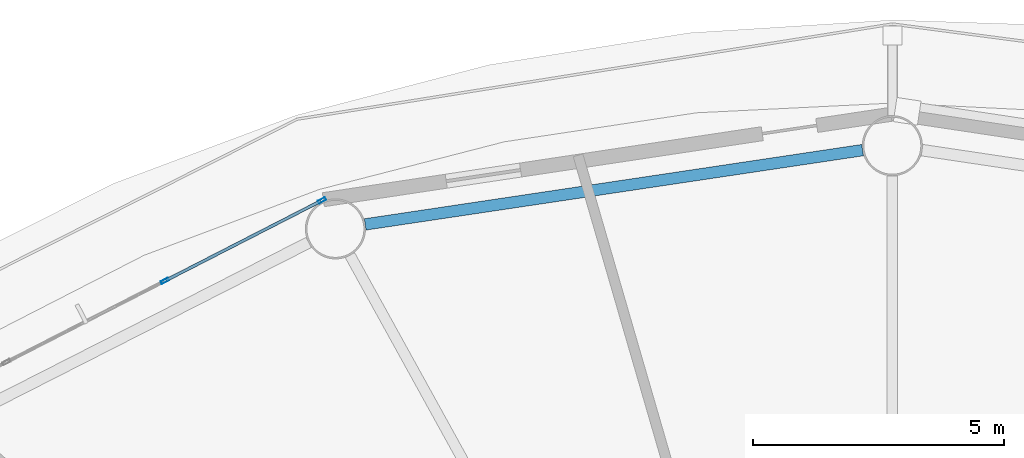
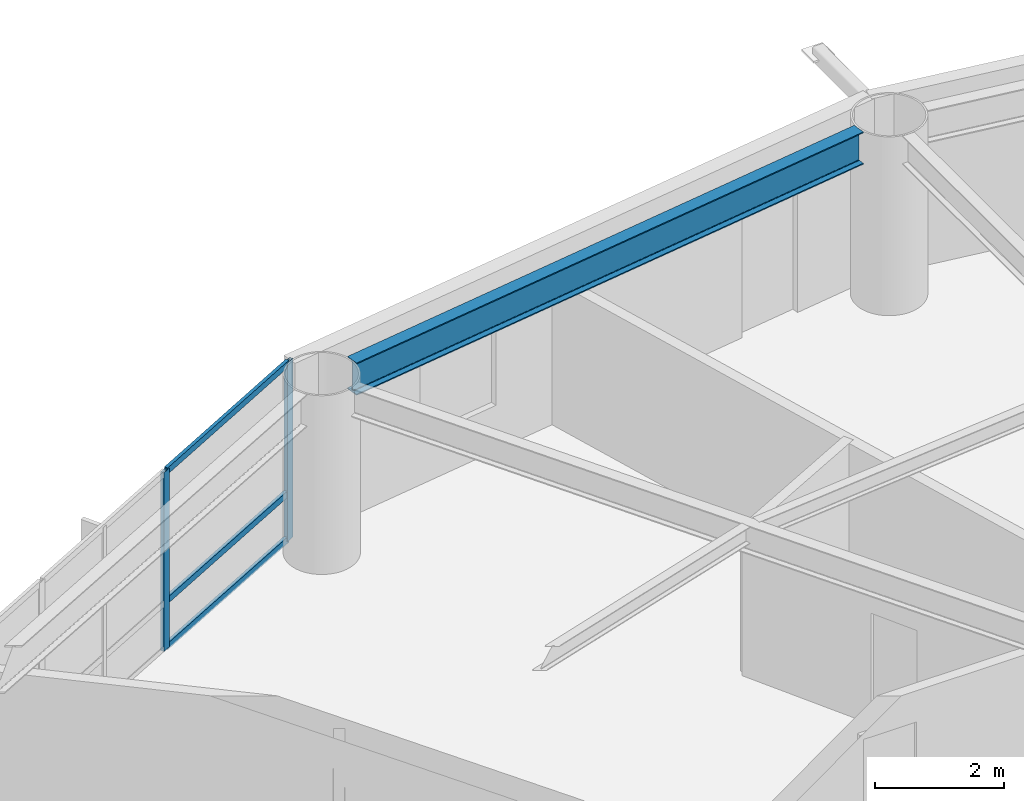
# One storey, part 10 of 24: 5 members, 1 beam, 1 element without a shape of its own.
"""IFC4 building model written with IfcOpenShell, lengths in metres."""

import ifcopenshell
import ifcopenshell.guid

model = None  # the IFC model being written
_history = None  # IfcOwnerHistory: only IFC2X3 demands one
_inside = {}  # id of a spatial element -> (the spatial element, [elements in it])
_under = {}  # id of a project, library or spatial element -> (it, [spatial elements below it])
_declared = {}  # id of a project -> (the project, [libraries it declares])
_typed = {}  # id of a type object -> (the type object, [elements of that type])
_made_of = {}  # id of a material, layer set ... -> (it, [elements and type objects made of it])


def new_model(schema):
    """Start an empty IFC model of exactly this schema.

    Asked for "IFC4X3", IfcOpenShell would pick the latest addendum, in which some entities
    have other attributes; the version numbers below select the first issue.
    IFC2X3 requires an IfcOwnerHistory on every rooted entity: one is made here for all.
    """
    global model, _history
    if schema == "IFC4X3":
        model = ifcopenshell.file(schema_version=(4, 3, 0, 0))
    else:
        model = ifcopenshell.file(schema=schema)
    _inside.clear()
    _under.clear()
    _declared.clear()
    _typed.clear()
    _made_of.clear()
    _history = None
    if model.schema == "IFC2X3":
        org = make("IfcOrganization", Name="unknown")
        user = make(
            "IfcPersonAndOrganization",
            ThePerson=make("IfcPerson", FamilyName="unknown"),
            TheOrganization=org,
        )
        app = make(
            "IfcApplication",
            ApplicationDeveloper=org,
            Version="unknown",
            ApplicationFullName="unknown",
            ApplicationIdentifier="unknown",
        )
        _history = make(
            "IfcOwnerHistory",
            OwningUser=user,
            OwningApplication=app,
            ChangeAction="ADDED",
            CreationDate=0,
        )
    return model


def make(cls, **values):
    """One entity of the class cls with the attributes given. An attribute that is None is left unset."""
    return model.create_entity(
        cls, **{name: value for name, value in values.items() if value is not None}
    )


def rooted(cls, **values):
    """An entity with a GlobalId (a new one), such as an element, a storey or a relation."""
    return make(cls, GlobalId=ifcopenshell.guid.new(), OwnerHistory=_history, **values)


def si_unit(unit_type, name, prefix=None):
    """IfcSIUnit, for example si_unit("LENGTHUNIT", "METRE", prefix="MILLI")."""
    return make("IfcSIUnit", UnitType=unit_type, Prefix=prefix, Name=name)


def assignment(units):
    """IfcUnitAssignment: the units of a project."""
    return None if units is None else make("IfcUnitAssignment", Units=units)


def point(xyz):
    """IfcCartesianPoint."""
    return None if xyz is None else make("IfcCartesianPoint", Coordinates=xyz)


def direction(xyz):
    """IfcDirection."""
    return None if xyz is None else make("IfcDirection", DirectionRatios=xyz)


def frame(location, z_axis=None, x_axis=None):
    """IfcAxis2Placement3D, a coordinate frame: its origin and axes. An axis left out is left unset."""
    return make(
        "IfcAxis2Placement3D",
        Location=point(location),
        Axis=direction(z_axis),
        RefDirection=direction(x_axis),
    )


def frame_2d(location, x_axis=None):
    """IfcAxis2Placement2D, a coordinate frame in the plane: its origin and x axis."""
    return make(
        "IfcAxis2Placement2D", Location=point(location), RefDirection=direction(x_axis)
    )


def origin():
    """The frame at (0, 0, 0) with its axes left unset."""
    return frame((0.0, 0.0, 0.0))


def origin_2d():
    """The frame at (0, 0) in the plane with its x axis left unset."""
    return frame_2d((0.0, 0.0))


def place(relative_to, where):
    """IfcLocalPlacement: puts the frame where relative to a parent placement (None: the world)."""
    return make(
        "IfcLocalPlacement", PlacementRelTo=relative_to, RelativePlacement=where
    )


def context(
    kind, dimensions, precision=None, world=None, true_north=None, identifier=None
):
    """IfcGeometricRepresentationContext, for example the 3D "Model" context."""
    return make(
        "IfcGeometricRepresentationContext",
        ContextIdentifier=identifier,
        ContextType=kind,
        CoordinateSpaceDimension=dimensions,
        Precision=precision,
        WorldCoordinateSystem=world,
        TrueNorth=true_north,
    )


def subcontext(parent, identifier, kind, view, scale=None):
    """IfcGeometricRepresentationSubContext, for example "Body" below "Model"."""
    return make(
        "IfcGeometricRepresentationSubContext",
        ContextIdentifier=identifier,
        ContextType=kind,
        ParentContext=parent,
        TargetScale=scale,
        TargetView=view,
    )


def project(units=None, contexts=None):
    """IfcProject with its units and contexts."""
    return rooted(
        "IfcProject",
        Name="project",
        RepresentationContexts=contexts,
        UnitsInContext=assignment(units),
    )


def spatial(cls, under=None, at=None, **own):
    """A site, building, storey or space (cls), placed at a placement, below another one or the project."""
    s = rooted(cls, ObjectPlacement=at, **own)
    if under is not None:
        _under.setdefault(under.id(), (under, []))[1].append(s)
    return s


def profile(cls, at=None, kind="AREA", **sizes):
    """A parametric profile (cls). Its sizes go by their IFC names, for example OverallWidth=200.0."""
    return make(cls, ProfileType=kind, Position=at, **sizes)


def hollow_rectangle(**sizes):
    """IfcRectangleHollowProfileDef."""
    return profile("IfcRectangleHollowProfileDef", **sizes)


def i_section(**sizes):
    """IfcIShapeProfileDef."""
    return profile("IfcIShapeProfileDef", **sizes)


def extrude(swept, where, along, depth):
    """IfcExtrudedAreaSolid: the profile swept, set in the frame where, extruded along a direction by depth."""
    return make(
        "IfcExtrudedAreaSolid",
        SweptArea=swept,
        Position=where,
        ExtrudedDirection=direction(along),
        Depth=depth,
    )


def shape(context_of_items, identifier, shape_type, items):
    """IfcShapeRepresentation: the items that make up one representation, for example the "Body"."""
    return make(
        "IfcShapeRepresentation",
        ContextOfItems=context_of_items,
        RepresentationIdentifier=identifier,
        RepresentationType=shape_type,
        Items=items,
    )


def material(Name=None, Category=None):
    """IfcMaterial."""
    return make("IfcMaterial", Name=Name, Category=Category)


def layer(
    of_material, thickness, ventilated=None, Name=None, Category=None, Priority=None
):
    """IfcMaterialLayer: one layer of a wall or slab, of a material (None: an air gap)."""
    return make(
        "IfcMaterialLayer",
        Material=of_material,
        LayerThickness=thickness,
        IsVentilated=ventilated,
        Name=Name,
        Category=Category,
        Priority=Priority,
    )


def layer_set(layers, Name=None):
    """IfcMaterialLayerSet."""
    return make("IfcMaterialLayerSet", MaterialLayers=layers, LayerSetName=Name)


def material_profile(
    of_material, cross_section, Name=None, Category=None, Priority=None
):
    """IfcMaterialProfile: a cross section and its material."""
    return make(
        "IfcMaterialProfile",
        Name=Name,
        Material=of_material,
        Profile=cross_section,
        Priority=Priority,
        Category=Category,
    )


def profile_set(profiles, Name=None, composite=None):
    """IfcMaterialProfileSet."""
    return make(
        "IfcMaterialProfileSet",
        Name=Name,
        MaterialProfiles=profiles,
        CompositeProfile=composite,
    )


def made_of(thing, what):
    """Note that an element or type object is made of a material, layer set ...; save() writes the relation."""
    if what is not None:
        _made_of.setdefault(what.id(), (what, []))[1].append(thing)
    return thing


def type_object(cls, material=None, **own):
    """A type object (cls), such as IfcWallType, which elements share."""
    return made_of(rooted(cls, **own), material)


def element(
    cls,
    number,
    at=None,
    inside=None,
    cuts=None,
    type_object=None,
    material=None,
    context=None,
    identifier="Body",
    shape_type=None,
    held_by="IfcProductDefinitionShape",
    body=None,
    shapes=None,
    **own,
):
    """One element of the class cls, such as IfcWall. Its Tag is "e" and its number.

    at: its placement. inside: the storey or other place that contains it. cuts: it is an
    opening in that element (IfcRelVoidsElement). A single representation is given by context,
    identifier, shape_type and body (its items); several are given by shapes. held_by: the class
    of the entity that holds the representations. save() writes the other relations.
    """
    e = rooted(cls, Tag="e%d" % number, ObjectPlacement=at, **own)
    if body is not None:
        shapes = [shape(context, identifier, shape_type, body)]
    if shapes is not None:
        e.Representation = make(held_by, Representations=shapes)
    if inside is not None:
        _inside.setdefault(inside.id(), (inside, []))[1].append(e)
    if cuts is not None:
        rooted(
            "IfcRelVoidsElement", RelatingBuildingElement=cuts, RelatedOpeningElement=e
        )
    if type_object is not None:
        _typed.setdefault(type_object.id(), (type_object, []))[1].append(e)
    return made_of(e, material)


def aggregate(whole, parts):
    """IfcRelAggregates: a whole, such as a stair, and the parts it consists of."""
    return rooted("IfcRelAggregates", RelatingObject=whole, RelatedObjects=parts)


def save(model, path):
    """Write the relations noted so far, then the file.

    IfcRelAggregates (storeys below a building ...), IfcRelContainedInSpatialStructure (elements
    in a storey), IfcRelDefinesByType, IfcRelAssociatesMaterial and IfcRelDeclares: one each for
    every whole, place, type object, material and project.
    """
    for whole, parts in _under.values():
        aggregate(whole, parts)
    for where, things in _inside.values():
        rooted(
            "IfcRelContainedInSpatialStructure",
            RelatedElements=things,
            RelatingStructure=where,
        )
    for kind, things in _typed.values():
        rooted("IfcRelDefinesByType", RelatedObjects=things, RelatingType=kind)
    for what, things in _made_of.values():
        rooted("IfcRelAssociatesMaterial", RelatedObjects=things, RelatingMaterial=what)
    for by, libraries in _declared.values():
        rooted("IfcRelDeclares", RelatingContext=by, RelatedDefinitions=libraries)
    model.write(path)


model = new_model("IFC4")

# Units and contexts
model_context = context("Model", 3, precision=1e-05, world=origin(), true_north=direction((0.0, 1.0)))
body_context = subcontext(model_context, "Body", "Model", "MODEL_VIEW")
ifc_project = project(units=[si_unit("LENGTHUNIT", "METRE"), si_unit("AREAUNIT", "SQUARE_METRE"), si_unit("VOLUMEUNIT", "CUBIC_METRE"), si_unit("PLANEANGLEUNIT", "RADIAN"), si_unit("MASSUNIT", "GRAM", prefix="KILO")], contexts=[model_context])

# Site, building, storey
site_placement = place(None, origin())
site = spatial("IfcSite", under=ifc_project, at=site_placement, CompositionType="ELEMENT")
building_placement = place(site_placement, origin())
building = spatial("IfcBuilding", under=site, at=building_placement, Name="Sarneth Arch Tower", CompositionType="ELEMENT")
storey_placement = place(building_placement, frame((0.0, 0.0, 116.39990234375)))
storey = spatial("IfcBuildingStorey", under=building, at=storey_placement, Name="L29", CompositionType="ELEMENT", Elevation=116.39990234375)

# Beam
ifc_material_1 = material(Name="Steel S355", Category="steel")
ifc_material_profile_1 = material_profile(ifc_material_1, i_section(OverallWidth=0.22900390625, OverallDepth=0.612060546875, WebThickness=0.011962890625, FlangeThickness=0.01953125, FilletRadius=0.01904296875, at=origin_2d()), Name="W610x125")
ifc_profile_set_1 = profile_set([ifc_material_profile_1], Name="Steel S355")
beam_type = type_object("IfcBeamType", Name="BM-SPAN-610C", PredefinedType="SPANDREL", material=ifc_profile_set_1)
beam_placement = place(storey_placement, frame((47.406494140625, 63.71142578125, 3.07421875), z_axis=(-0.989028613319, -0.147724073992, 0.0), x_axis=(0.147724073992, -0.989028613319, 0.0)))
element("IfcBeam", 1, at=beam_placement, inside=storey, type_object=beam_type, Name="L29 Perimeter spandrel beam 05", PredefinedType="SPANDREL", context=body_context, shape_type="SweptSolid", body=[
    extrude(i_section(OverallWidth=0.22900390625, OverallDepth=0.612060546875, WebThickness=0.011962890625, FlangeThickness=0.01953125, FilletRadius=0.01904296875, at=origin_2d()), origin(), (0.0, 0.0, 1.0), 10.033447265625),
])

# Curtain wall, members
ifc_material_2 = material(Name="Anodised aluminium Type AA25 and solar-control low-e laminated IGU", Category="aluminium")
ifc_layer = layer(ifc_material_2, 0.159912109375)
ifc_layer_set = layer_set([ifc_layer], Name="Anodised aluminium Type AA25 and solar-control low-e laminated IGU")
curtain_wall_type = type_object("IfcCurtainWallType", Name="CW-HOTEL-MID", PredefinedType="NOTDEFINED", material=ifc_layer_set)
curtain_wall_placement = place(storey_placement, origin())
curtain_wall = element("IfcCurtainWall", 2, at=curtain_wall_placement, inside=storey, type_object=curtain_wall_type, Name="L29 Unitised curtain wall facet 06", PredefinedType="NOTDEFINED")
ifc_material_3 = material(Name="Anodised Aluminium 6063-T6", Category="aluminium")
ifc_material_profile_2 = material_profile(ifc_material_3, hollow_rectangle(XDim=0.06005859375, YDim=0.159912109375, WallThickness=0.00390625, at=origin_2d()), Name="AL-MULL-160x60x4")
ifc_profile_set_2 = profile_set([ifc_material_profile_2], Name="Anodised Aluminium 6063-T6")
member_type_1 = type_object("IfcMemberType", Name="CW-MULLION", PredefinedType="MULLION", material=ifc_profile_set_2)
member_1_placement = place(storey_placement, frame((36.6220703125, 62.708984375, 0.0), z_axis=(0.0, 0.0, 1.0), x_axis=(0.456031365356, -0.889963703649, 0.0)))
member_1 = element("IfcMember", 3, at=member_1_placement, type_object=member_type_1, Name="CW-SYS-4 mullion 1", PredefinedType="MULLION", context=body_context, shape_type="SweptSolid", body=[
    extrude(hollow_rectangle(XDim=0.06005859375, YDim=0.159912109375, WallThickness=0.00390625, at=origin_2d()), origin(), (0.0, 0.0, 1.0), 3.380126953125),
])
member_2_placement = place(storey_placement, frame((33.48583984375, 61.101806640625, 0.0), z_axis=(0.0, 0.0, 1.0), x_axis=(0.456031365356, -0.889963703649, 0.0)))
member_2 = element("IfcMember", 4, at=member_2_placement, type_object=member_type_1, Name="CW-SYS-4 mullion 2", PredefinedType="MULLION", context=body_context, shape_type="SweptSolid", body=[
    extrude(hollow_rectangle(XDim=0.06005859375, YDim=0.159912109375, WallThickness=0.00390625, at=origin_2d()), origin(), (0.0, 0.0, 1.0), 3.380126953125),
])
ifc_material_4 = material(Name="Anodised Aluminium 6063-T6", Category="aluminium")
ifc_material_profile_3 = material_profile(ifc_material_4, hollow_rectangle(XDim=0.06005859375, YDim=0.1201171875, WallThickness=0.00390625, at=origin_2d()), Name="AL-TRAN-120x60x4")
ifc_profile_set_3 = profile_set([ifc_material_profile_3], Name="Anodised Aluminium 6063-T6")
member_type_2 = type_object("IfcMemberType", Name="CW-TRANSOM", PredefinedType="USERDEFINED", material=ifc_profile_set_3)
member_3_placement = place(storey_placement, frame((36.595458984375, 62.6953125, 0.030029296875), z_axis=(-0.889957563627, -0.456043347658, 0.0), x_axis=(0.456043347658, -0.889957563627, 0.0)))
member_3 = element("IfcMember", 5, at=member_3_placement, type_object=member_type_2, Name="CW-SYS-4 transom 1.1", ObjectType="TRANSOM", PredefinedType="USERDEFINED", context=body_context, shape_type="SweptSolid", body=[
    extrude(hollow_rectangle(XDim=0.06005859375, YDim=0.1201171875, WallThickness=0.00390625, at=origin_2d()), origin(), (0.0, 0.0, 1.0), 3.464111328125),
])
member_4_placement = place(storey_placement, frame((36.595458984375, 62.6953125, 0.900146484375), z_axis=(-0.889957563627, -0.456043347658, 0.0), x_axis=(0.456043347658, -0.889957563627, 0.0)))
member_4 = element("IfcMember", 6, at=member_4_placement, type_object=member_type_2, Name="CW-SYS-4 transom 1.2", ObjectType="TRANSOM", PredefinedType="USERDEFINED", context=body_context, shape_type="SweptSolid", body=[
    extrude(hollow_rectangle(XDim=0.06005859375, YDim=0.1201171875, WallThickness=0.00390625, at=origin_2d()), origin(), (0.0, 0.0, 1.0), 3.464111328125),
])
member_5_placement = place(storey_placement, frame((36.595458984375, 62.6953125, 3.35009765625), z_axis=(-0.889957563627, -0.456043347658, 0.0), x_axis=(0.456043347658, -0.889957563627, 0.0)))
member_5 = element("IfcMember", 7, at=member_5_placement, type_object=member_type_2, Name="CW-SYS-4 transom 1.3", ObjectType="TRANSOM", PredefinedType="USERDEFINED", context=body_context, shape_type="SweptSolid", body=[
    extrude(hollow_rectangle(XDim=0.06005859375, YDim=0.1201171875, WallThickness=0.00390625, at=origin_2d()), origin(), (0.0, 0.0, 1.0), 3.464111328125),
])
aggregate(curtain_wall, [member_1, member_2, member_3, member_4, member_5])

save(model, "model.ifc")
